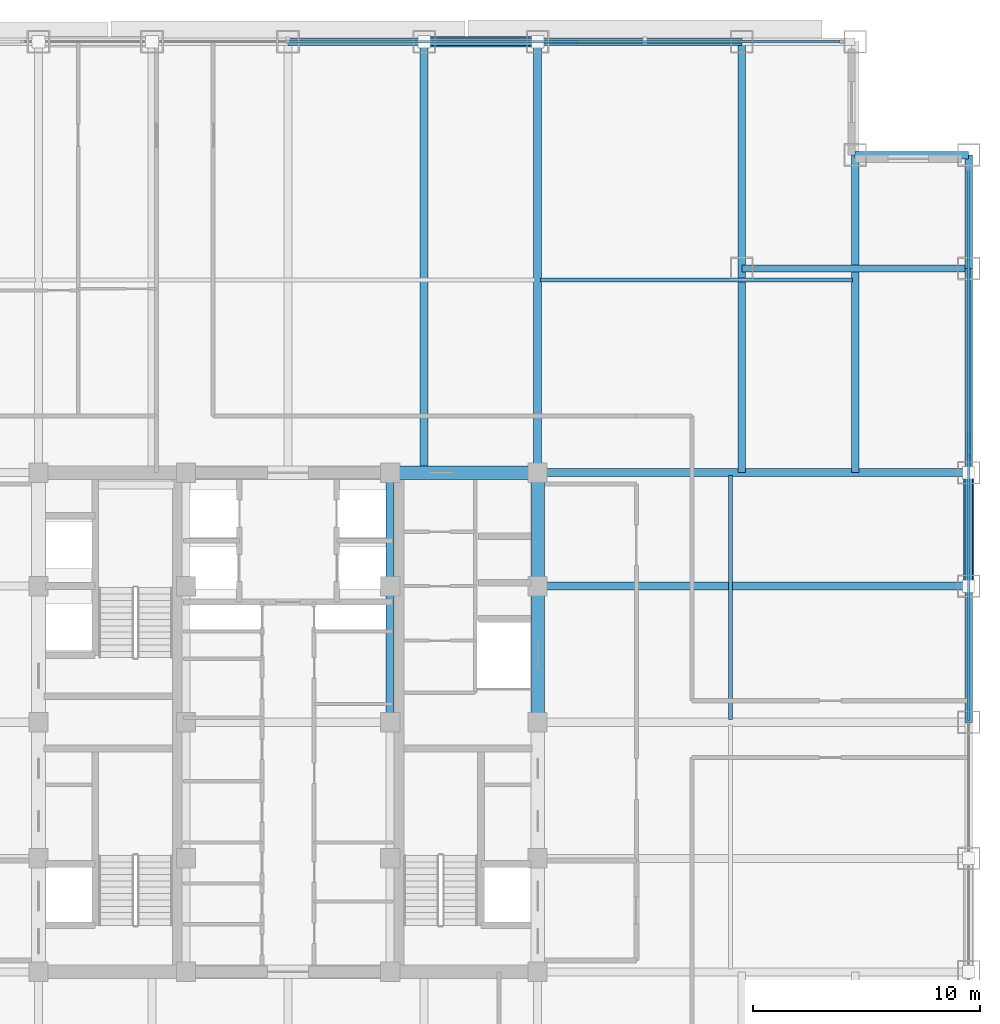
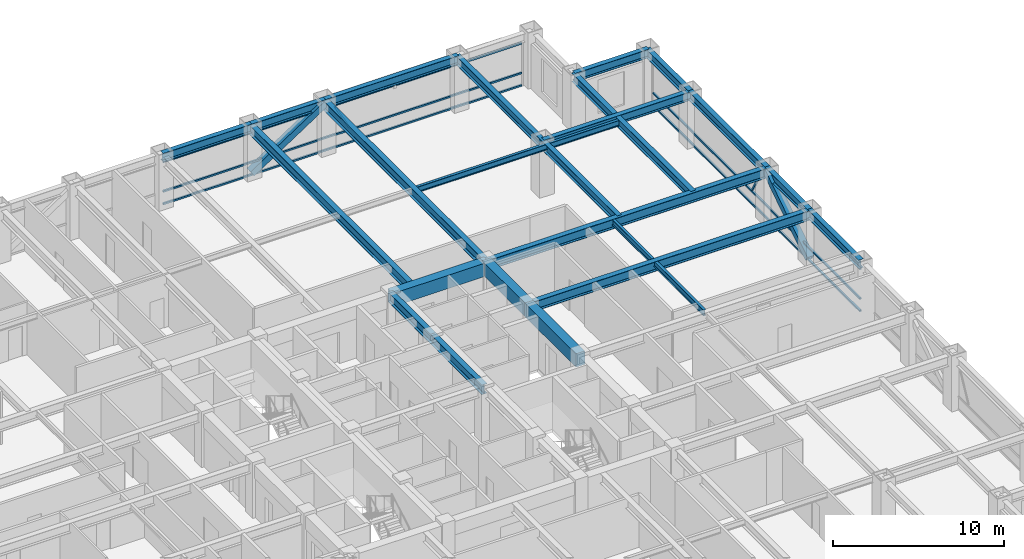
# One storey, part 17 of 29: 22 beams, 10 members, 2 elements without a shape of their own.
"""IFC4 building model written with IfcOpenShell, lengths in metres."""

from ifc_helpers import new_model, si_unit, direction, frame, origin, origin_2d, place, context, subcontext, project, spatial, rectangle, hollow_rectangle, i_section, extrude, source, transform, mapped, material, material_profile, profile_set, type_object, element, aggregate, save


model = new_model("IFC4")

# Units and contexts
model_context = context("Model", 3, precision=1e-05, world=origin(), true_north=direction((0.0, 1.0)))
body_context = subcontext(model_context, "Body", "Model", "MODEL_VIEW")
ifc_project = project(units=[si_unit("LENGTHUNIT", "METRE"), si_unit("AREAUNIT", "SQUARE_METRE"), si_unit("VOLUMEUNIT", "CUBIC_METRE"), si_unit("PLANEANGLEUNIT", "RADIAN"), si_unit("MASSUNIT", "GRAM", prefix="KILO")], contexts=[model_context])

# Site, building, storey
site_placement = place(None, origin())
site = spatial("IfcSite", under=ifc_project, at=site_placement, CompositionType="ELEMENT")
building_placement = place(site_placement, origin())
building = spatial("IfcBuilding", under=site, at=building_placement, Name="Khorayat Bourse Tower", CompositionType="ELEMENT")
storey_placement = place(building_placement, frame((0.0, 0.0, 239.10009765625)))
storey = spatial("IfcBuildingStorey", under=building, at=storey_placement, Name="L56", CompositionType="ELEMENT", Elevation=239.10009765625)

# Beams
ifc_material_1 = material(Name="Steel ASTM A992 Grade 50", Category="steel")
ifc_material_profile_1 = material_profile(ifc_material_1, i_section(OverallWidth=0.35498046875, OverallDepth=0.695068359375, WebThickness=0.015380859375, FlangeThickness=0.02490234375, FilletRadius=0.01806640625, at=origin_2d()), Name="W690X217")
ifc_profile_set_1 = profile_set([ifc_material_profile_1], Name="Steel ASTM A992 Grade 50")
beam_type_1 = type_object("IfcBeamType", Name="BM-GIRD-690", PredefinedType="BEAM", material=ifc_profile_set_1)
shared_shape_1 = source(origin(), body_context, "Body", "SweptSolid", [
    extrude(i_section(OverallWidth=0.35498046875, OverallDepth=0.695068359375, WebThickness=0.015380859375, FlangeThickness=0.02490234375, FilletRadius=0.01806640625, at=origin_2d()), origin(), (0.0, 0.0, 1.0), 5.0),
])
beam_1_placement = place(storey_placement, frame((4.5, 6.0, 3.432373046875), z_axis=(0.0, 1.0, 0.0), x_axis=(-1.0, 0.0, 0.0)))
element("IfcBeam", 1, at=beam_1_placement, inside=storey, type_object=beam_type_1, Name="L56 BM-GIRD-690 BM-L56-CRX-12", PredefinedType="BEAM", context=body_context, shape_type="MappedRepresentation", body=[
    mapped(shared_shape_1, transform((0.0, 0.0, 0.0), scale=1.0)),
])
shared_shape_2 = source(origin(), body_context, "Body", "SweptSolid", [
    extrude(i_section(OverallWidth=0.35498046875, OverallDepth=0.695068359375, WebThickness=0.015380859375, FlangeThickness=0.02490234375, FilletRadius=0.01806640625, at=origin_2d()), origin(), (0.0, 0.0, 1.0), 6.0),
])
beam_2_placement = place(storey_placement, frame((4.5, 0.0, 3.432373046875), z_axis=(0.0, 1.0, 0.0), x_axis=(-1.0, 0.0, 0.0)))
element("IfcBeam", 2, at=beam_2_placement, inside=storey, type_object=beam_type_1, Name="L56 BM-GIRD-690 BM-L56-CRX-11", PredefinedType="BEAM", context=body_context, shape_type="MappedRepresentation", body=[
    mapped(shared_shape_2, transform((0.0, 0.0, 0.0), scale=1.0)),
])
ifc_material_profile_2 = material_profile(ifc_material_1, i_section(OverallWidth=0.324951171875, OverallDepth=0.615966796875, WebThickness=0.013916015625, FlangeThickness=0.021484375, FilletRadius=0.01611328125, at=origin_2d()), Name="W610X174")
ifc_profile_set_2 = profile_set([ifc_material_profile_2], Name="Steel ASTM A992 Grade 50")
beam_type_2 = type_object("IfcBeamType", Name="BM-GIRD-610", PredefinedType="BEAM", material=ifc_profile_set_2)
shared_shape_3 = source(origin(), body_context, "Body", "SweptSolid", [
    extrude(i_section(OverallWidth=0.324951171875, OverallDepth=0.615966796875, WebThickness=0.013916015625, FlangeThickness=0.021484375, FilletRadius=0.01611328125, at=origin_2d()), origin(), (0.0, 0.0, 1.0), 19.0),
])
beam_3_placement = place(storey_placement, frame((20.0, 11.0, 3.471923828125), z_axis=(0.0, 1.0, 0.0), x_axis=(-1.0, 0.0, 0.0)))
element("IfcBeam", 3, at=beam_3_placement, inside=storey, type_object=beam_type_2, Name="L56 BM-GIRD-610 BM-L56-CNRY-087", PredefinedType="BEAM", context=body_context, shape_type="MappedRepresentation", body=[
    mapped(shared_shape_3, transform((0.0, 0.0, 0.0), scale=1.0)),
])
shared_shape_4 = source(origin(), body_context, "Body", "SweptSolid", [
    extrude(i_section(OverallWidth=0.324951171875, OverallDepth=0.615966796875, WebThickness=0.013916015625, FlangeThickness=0.021484375, FilletRadius=0.01611328125, at=origin_2d()), origin(), (0.0, 0.0, 1.0), 10.0),
])
beam_4_placement = place(storey_placement, frame((20.0, 20.0, 3.471923828125), z_axis=(1.0, 0.0, 0.0), x_axis=(0.0, 1.0, 0.0)))
element("IfcBeam", 4, at=beam_4_placement, inside=storey, type_object=beam_type_2, Name="L56 BM-GIRD-610 BM-L56-CNRX-094", PredefinedType="BEAM", context=body_context, shape_type="MappedRepresentation", body=[
    mapped(shared_shape_4, transform((0.0, 0.0, 0.0), scale=1.0)),
])
ifc_material_profile_3 = material_profile(ifc_material_1, i_section(OverallWidth=0.180908203125, OverallDepth=0.4169921875, WebThickness=0.010986328125, FlangeThickness=0.018310546875, FilletRadius=0.011962890625, at=origin_2d()), Name="W410X85")
ifc_profile_set_3 = profile_set([ifc_material_profile_3], Name="Steel ASTM A992 Grade 50")
beam_type_3 = type_object("IfcBeamType", Name="BM-JOIST-410", PredefinedType="JOIST", material=ifc_profile_set_3)
shared_shape_5 = source(origin(), body_context, "Body", "SweptSolid", [
    extrude(i_section(OverallWidth=0.180908203125, OverallDepth=0.4169921875, WebThickness=0.010986328125, FlangeThickness=0.018310546875, FilletRadius=0.011962890625, at=origin_2d()), origin(), (0.0, 0.0, 1.0), 10.740234375),
])
beam_5_placement = place(storey_placement, frame((19.5, 0.1298828125, 3.5712890625), z_axis=(0.0, 1.0, 0.0), x_axis=(-1.0, 0.0, 0.0)))
element("IfcBeam", 5, at=beam_5_placement, inside=storey, type_object=beam_type_3, Name="L56 BM-JOIST-410 BM-L56-JSTY-105", PredefinedType="JOIST", context=body_context, shape_type="MappedRepresentation", body=[
    mapped(shared_shape_5, transform((0.0, 0.0, 0.0), scale=1.0)),
])
ifc_material_profile_4 = material_profile(ifc_material_1, i_section(OverallWidth=0.324951171875, OverallDepth=0.615966796875, WebThickness=0.013916015625, FlangeThickness=0.021484375, FilletRadius=0.01611328125, at=origin_2d()), Name="W610X174")
ifc_profile_set_4 = profile_set([ifc_material_profile_4], Name="Steel ASTM A992 Grade 50")
beam_type_4 = type_object("IfcBeamType", Name="BM-SPAN-610", PredefinedType="SPANDREL", material=ifc_profile_set_4)
shared_shape_6 = source(origin(), body_context, "Body", "SweptSolid", [
    extrude(i_section(OverallWidth=0.324951171875, OverallDepth=0.615966796875, WebThickness=0.013916015625, FlangeThickness=0.021484375, FilletRadius=0.01611328125, at=origin_2d()), origin(), (0.0, 0.0, 1.0), 9.0),
])
for number, where, z_axis, x_axis, name in (
    (6, (30.0, 11.0, 3.471923828125), (0.0, 1.0, 0.0), (-1.0, 0.0, 0.0), "L56 BM-SPAN-610 BM-L56-SPN-040"),
    (7, (11.0, 30.0, 3.471923828125), (1.0, 0.0, 0.0), (0.0, 1.0, 0.0), "L56 BM-SPAN-610 BM-L56-SPN-045"),
):
    element("IfcBeam", number, at=place(storey_placement, frame(where, z_axis=z_axis, x_axis=x_axis)), inside=storey, type_object=beam_type_4, Name=name, PredefinedType="SPANDREL", context=body_context, shape_type="MappedRepresentation", body=[
        mapped(shared_shape_6, transform((0.0, 0.0, 0.0), scale=1.0)),
    ])
shared_shape_7 = source(origin(), body_context, "Body", "SweptSolid", [
    extrude(i_section(OverallWidth=0.324951171875, OverallDepth=0.615966796875, WebThickness=0.013916015625, FlangeThickness=0.021484375, FilletRadius=0.01611328125, at=origin_2d()), origin(), (0.0, 0.0, 1.0), 5.0),
])
for number, where, z_axis, x_axis, name in (
    (8, (30.0, 6.0, 3.471923828125), (0.0, 1.0, 0.0), (-1.0, 0.0, 0.0), "L56 BM-SPAN-610 BM-L56-SPN-039"),
    (9, (30.0, 20.0, 3.471923828125), (0.0, 1.0, 0.0), (-1.0, 0.0, 0.0), "L56 BM-SPAN-610 BM-L56-SPN-041"),
    (10, (25.0, 25.0, 3.471923828125), (1.0, 0.0, 0.0), (0.0, 1.0, 0.0), "L56 BM-SPAN-610 BM-L56-SPN-042"),
    (11, (6.0, 30.0, 3.471923828125), (1.0, 0.0, 0.0), (0.0, 1.0, 0.0), "L56 BM-SPAN-610 BM-L56-SPN-046"),
):
    element("IfcBeam", number, at=place(storey_placement, frame(where, z_axis=z_axis, x_axis=x_axis)), inside=storey, type_object=beam_type_4, Name=name, PredefinedType="SPANDREL", context=body_context, shape_type="MappedRepresentation", body=[
        mapped(shared_shape_7, transform((0.0, 0.0, 0.0), scale=1.0)),
    ])
shared_shape_8 = source(origin(), body_context, "Body", "SweptSolid", [
    extrude(i_section(OverallWidth=0.324951171875, OverallDepth=0.615966796875, WebThickness=0.013916015625, FlangeThickness=0.021484375, FilletRadius=0.01611328125, at=origin_2d()), origin(), (0.0, 0.0, 1.0), 6.0),
])
for number, where, z_axis, x_axis, name in (
    (12, (30.0, 0.0, 3.471923828125), (0.0, 1.0, 0.0), (-1.0, 0.0, 0.0), "L56 BM-SPAN-610 BM-L56-SPN-038"),
    (13, (0.0, 30.0, 3.471923828125), (1.0, 0.0, 0.0), (0.0, 1.0, 0.0), "L56 BM-SPAN-610 BM-L56-SPN-047"),
):
    element("IfcBeam", number, at=place(storey_placement, frame(where, z_axis=z_axis, x_axis=x_axis)), inside=storey, type_object=beam_type_4, Name=name, PredefinedType="SPANDREL", context=body_context, shape_type="MappedRepresentation", body=[
        mapped(shared_shape_8, transform((0.0, 0.0, 0.0), scale=1.0)),
    ])
ifc_material_2 = material(Name="Concrete C60/75", Category="concrete")
ifc_material_profile_5 = material_profile(ifc_material_2, rectangle(XDim=0.60009765625, YDim=0.949951171875, at=origin_2d()), Name="RC 600x950")
ifc_profile_set_5 = profile_set([ifc_material_profile_5], Name="Concrete C60/75")
beam_type_5 = type_object("IfcBeamType", Name="BM-COUP-950", PredefinedType="BEAM", material=ifc_profile_set_5)
shared_shape_9 = source(origin(), body_context, "Body", "SweptSolid", [
    extrude(rectangle(XDim=0.60009765625, YDim=0.949951171875, at=origin_2d()), origin(), (0.0, 0.0, 1.0), 5.0),
])
beam_6_placement = place(storey_placement, frame((11.0, 6.0, 3.304931640625), z_axis=(0.0, 1.0, 0.0), x_axis=(-1.0, 0.0, 0.0)))
element("IfcBeam", 14, at=beam_6_placement, inside=storey, type_object=beam_type_5, Name="L56 BM-COUP-950 BM-L56-CRX-16", PredefinedType="BEAM", context=body_context, shape_type="MappedRepresentation", body=[
    mapped(shared_shape_9, transform((0.0, 0.0, 0.0), scale=1.0)),
])
shared_shape_10 = source(origin(), body_context, "Body", "SweptSolid", [
    extrude(rectangle(XDim=0.60009765625, YDim=0.949951171875, at=origin_2d()), origin(), (0.0, 0.0, 1.0), 6.0),
])
beam_7_placement = place(storey_placement, frame((11.0, 0.0, 3.304931640625), z_axis=(0.0, 1.0, 0.0), x_axis=(-1.0, 0.0, 0.0)))
element("IfcBeam", 15, at=beam_7_placement, inside=storey, type_object=beam_type_5, Name="L56 BM-COUP-950 BM-L56-CRX-15", PredefinedType="BEAM", context=body_context, shape_type="MappedRepresentation", body=[
    mapped(shared_shape_10, transform((0.0, 0.0, 0.0), scale=1.0)),
])
shared_shape_11 = source(origin(), body_context, "Body", "SweptSolid", [
    extrude(rectangle(XDim=0.60009765625, YDim=0.949951171875, at=origin_2d()), origin(), (0.0, 0.0, 1.0), 6.5),
])
beam_8_placement = place(storey_placement, frame((4.5, 11.0, 3.304931640625), z_axis=(1.0, 0.0, 0.0), x_axis=(0.0, 1.0, 0.0)))
element("IfcBeam", 16, at=beam_8_placement, inside=storey, type_object=beam_type_5, Name="L56 BM-COUP-950 BM-L56-CRY-22", PredefinedType="BEAM", context=body_context, shape_type="MappedRepresentation", body=[
    mapped(shared_shape_11, transform((0.0, 0.0, 0.0), scale=1.0)),
])
shared_shape_12 = source(origin(), body_context, "Body", "SweptSolid", [
    extrude(i_section(OverallWidth=0.35498046875, OverallDepth=0.695068359375, WebThickness=0.015380859375, FlangeThickness=0.02490234375, FilletRadius=0.01806640625, at=origin_2d()), origin(), (0.0, 0.0, 1.0), 19.0),
])
for number, where, z_axis, x_axis, name in (
    (17, (6.0, 11.0, 3.432373046875), (0.0, 1.0, 0.0), (-1.0, 0.0, 0.0), "L56 BM-GIRD-690 BM-L56-RADY-070"),
    (18, (11.0, 11.0, 3.432373046875), (0.0, 1.0, 0.0), (-1.0, 0.0, 0.0), "L56 BM-GIRD-690 BM-L56-RADY-072"),
    (19, (11.0, 6.0, 3.432373046875), (1.0, 0.0, 0.0), (0.0, 1.0, 0.0), "L56 BM-GIRD-690 BM-L56-RADX-080"),
    (20, (11.0, 11.0, 3.432373046875), (1.0, 0.0, 0.0), (0.0, 1.0, 0.0), "L56 BM-GIRD-690 BM-L56-RADX-082"),
):
    element("IfcBeam", number, at=place(storey_placement, frame(where, z_axis=z_axis, x_axis=x_axis)), inside=storey, type_object=beam_type_1, Name=name, PredefinedType="BEAM", context=body_context, shape_type="MappedRepresentation", body=[
        mapped(shared_shape_12, transform((0.0, 0.0, 0.0), scale=1.0)),
    ])
shared_shape_13 = source(origin(), body_context, "Body", "SweptSolid", [
    extrude(i_section(OverallWidth=0.324951171875, OverallDepth=0.615966796875, WebThickness=0.013916015625, FlangeThickness=0.021484375, FilletRadius=0.01611328125, at=origin_2d()), origin(), (0.0, 0.0, 1.0), 14.0),
])
beam_9_placement = place(storey_placement, frame((25.0, 11.0, 3.471923828125), z_axis=(0.0, 1.0, 0.0), x_axis=(-1.0, 0.0, 0.0)))
element("IfcBeam", 21, at=beam_9_placement, inside=storey, type_object=beam_type_2, Name="L56 BM-GIRD-610 BM-L56-CNRY-091", PredefinedType="BEAM", context=body_context, shape_type="MappedRepresentation", body=[
    mapped(shared_shape_13, transform((0.0, 0.0, 0.0), scale=1.0)),
])
shared_shape_14 = source(origin(), body_context, "Body", "SweptSolid", [
    extrude(i_section(OverallWidth=0.180908203125, OverallDepth=0.4169921875, WebThickness=0.010986328125, FlangeThickness=0.018310546875, FilletRadius=0.011962890625, at=origin_2d()), origin(), (0.0, 0.0, 1.0), 13.740234375),
])
beam_10_placement = place(storey_placement, frame((11.1298828125, 19.5, 3.5712890625), z_axis=(1.0, 0.0, 0.0), x_axis=(0.0, 1.0, 0.0)))
element("IfcBeam", 22, at=beam_10_placement, inside=storey, type_object=beam_type_3, Name="L56 BM-JOIST-410 BM-L56-JSTX-101", PredefinedType="JOIST", context=body_context, shape_type="MappedRepresentation", body=[
    mapped(shared_shape_14, transform((0.0, 0.0, 0.0), scale=1.0)),
])

# Members
ifc_material_3 = material(Name="Steel EN 10025-4 S460M", Category="steel")
ifc_material_profile_6 = material_profile(ifc_material_3, hollow_rectangle(XDim=0.449951171875, YDim=0.449951171875, WallThickness=0.02490234375, at=origin_2d()), Name="HSS 450x450x25")
ifc_profile_set_6 = profile_set([ifc_material_profile_6], Name="Steel EN 10025-4 S460M")
member_type_1 = type_object("IfcMemberType", Name="MBR-TUBE-450", PredefinedType="BRACE", material=ifc_profile_set_6)
shared_shape_15 = source(origin(), body_context, "Body", "SweptSolid", [
    extrude(hollow_rectangle(XDim=0.449951171875, YDim=0.449951171875, WallThickness=0.02490234375, at=origin_2d()), origin(), (0.0, 0.0, 1.0), 5.979736328125),
])
for number, where, z_axis, x_axis, name in (
    (23, (6.0, 30.0, 0.25), (0.836160261256, 0.0, 0.548485202623), (0.0, 1.0, 0.0), "L56 Perimeter Tube Brace 04"),
    (24, (30.0, 6.0, 0.25), (0.0, 0.836160261256, 0.548485202623), (-1.0, 0.0, 0.0), "L56 Perimeter Tube Brace 08"),
):
    element("IfcMember", number, at=place(storey_placement, frame(where, z_axis=z_axis, x_axis=x_axis)), inside=storey, type_object=member_type_1, Name=name, PredefinedType="BRACE", context=body_context, shape_type="MappedRepresentation", body=[
        mapped(shared_shape_15, transform((0.0, 0.0, 0.0), scale=1.0)),
    ])

# Curtain wall, member
ifc_material_4 = material(Name="Aluminium EN AW-6063 T6", Category="aluminium")
curtain_wall_type = type_object("IfcCurtainWallType", Name="CW-SYS-03", PredefinedType="NOTDEFINED", material=ifc_material_4)
curtain_wall_1_placement = place(storey_placement, origin())
curtain_wall_1 = element("IfcCurtainWall", 25, at=curtain_wall_1_placement, inside=storey, type_object=curtain_wall_type, Name="L56 Curtain Wall CW-L56-N1", PredefinedType="NOTDEFINED")
ifc_material_profile_7 = material_profile(ifc_material_4, hollow_rectangle(XDim=0.1201171875, YDim=0.1201171875, WallThickness=0.0048828125, at=origin_2d()), Name="ALU 120x120x5")
ifc_profile_set_7 = profile_set([ifc_material_profile_7], Name="Aluminium EN AW-6063 T6")
member_type_2 = type_object("IfcMemberType", Name="CWM-DIAG-120", PredefinedType="MULLION", material=ifc_profile_set_7)
shared_shape_16 = source(origin(), body_context, "Body", "SweptSolid", [
    extrude(hollow_rectangle(XDim=0.1201171875, YDim=0.1201171875, WallThickness=0.0048828125, at=origin_2d()), origin(), (0.0, 0.0, 1.0), 2.079345703125),
])
member_1_placement = place(storey_placement, frame((12.67919921875, 30.0, 1.08984375), z_axis=(-0.465760949701, 0.0, 0.884910581773), x_axis=(0.0, -1.0, 0.0)))
member_1 = element("IfcMember", 26, at=member_1_placement, type_object=member_type_2, Name="CW-L56-N1 Faceted Diagonal Mullion 2", PredefinedType="MULLION", context=body_context, shape_type="MappedRepresentation", body=[
    mapped(shared_shape_16, transform((0.0, 0.0, 0.0), scale=1.0)),
])

curtain_wall_2_placement = place(storey_placement, origin())
curtain_wall_2 = element("IfcCurtainWall", 27, at=curtain_wall_2_placement, inside=storey, type_object=curtain_wall_type, Name="L56 Curtain Wall CW-L56-E1", PredefinedType="NOTDEFINED")
member_2_placement = place(storey_placement, frame((30.0, 12.67919921875, 1.08984375), z_axis=(0.0, -0.465760949701, 0.884910581773), x_axis=(1.0, 0.0, 0.0)))
member_2 = element("IfcMember", 28, at=member_2_placement, type_object=member_type_2, Name="CW-L56-E1 Faceted Diagonal Mullion 2", PredefinedType="MULLION", context=body_context, shape_type="MappedRepresentation", body=[
    mapped(shared_shape_16, transform((0.0, 0.0, 0.0), scale=1.0)),
])

# Member
ifc_material_profile_8 = material_profile(ifc_material_4, hollow_rectangle(XDim=0.1201171875, YDim=0.1201171875, WallThickness=0.0048828125, at=origin_2d()), Name="ALU 120x120x5")
ifc_profile_set_8 = profile_set([ifc_material_profile_8], Name="Aluminium EN AW-6063 T6")
member_type_3 = type_object("IfcMemberType", Name="CWT-HORZ-120", PredefinedType="USERDEFINED", material=ifc_profile_set_8)
shared_shape_17 = source(origin(), body_context, "Body", "SweptSolid", [
    extrude(hollow_rectangle(XDim=0.1201171875, YDim=0.1201171875, WallThickness=0.0048828125, at=origin_2d()), origin(), (0.0, 0.0, 1.0), 24.27001953125),
])
member_3_placement = place(storey_placement, frame((0.06005859375, 30.0, 0.059814453125), z_axis=(1.0, 0.0, 0.0), x_axis=(0.0, 1.0, 0.0)))
member_3 = element("IfcMember", 29, at=member_3_placement, type_object=member_type_3, Name="CW-L56-N1 Horizontal Transom 2-1", ObjectType="TRANSOM", PredefinedType="USERDEFINED", context=body_context, shape_type="MappedRepresentation", body=[
    mapped(shared_shape_17, transform((0.0, 0.0, 0.0), scale=1.0)),
])

member_4_placement = place(storey_placement, frame((0.06005859375, 30.0, 0.949951171875), z_axis=(1.0, 0.0, 0.0), x_axis=(0.0, 1.0, 0.0)))
member_4 = element("IfcMember", 30, at=member_4_placement, type_object=member_type_3, Name="CW-L56-N1 Horizontal Transom 2-2", ObjectType="TRANSOM", PredefinedType="USERDEFINED", context=body_context, shape_type="MappedRepresentation", body=[
    mapped(shared_shape_17, transform((0.0, 0.0, 0.0), scale=1.0)),
])

member_5_placement = place(storey_placement, frame((0.06005859375, 30.0, 3.06982421875), z_axis=(1.0, 0.0, 0.0), x_axis=(0.0, 1.0, 0.0)))
member_5 = element("IfcMember", 31, at=member_5_placement, type_object=member_type_3, Name="CW-L56-N1 Horizontal Transom 2-3", ObjectType="TRANSOM", PredefinedType="USERDEFINED", context=body_context, shape_type="MappedRepresentation", body=[
    mapped(shared_shape_17, transform((0.0, 0.0, 0.0), scale=1.0)),
])

aggregate(curtain_wall_1, [member_3, member_4, member_5, member_1])

member_6_placement = place(storey_placement, frame((30.0, 0.06005859375, 0.059814453125), z_axis=(0.0, 1.0, 0.0), x_axis=(-1.0, 0.0, 0.0)))
member_6 = element("IfcMember", 32, at=member_6_placement, type_object=member_type_3, Name="CW-L56-E1 Horizontal Transom 2-1", ObjectType="TRANSOM", PredefinedType="USERDEFINED", context=body_context, shape_type="MappedRepresentation", body=[
    mapped(shared_shape_17, transform((0.0, 0.0, 0.0), scale=1.0)),
])

member_7_placement = place(storey_placement, frame((30.0, 0.06005859375, 0.949951171875), z_axis=(0.0, 1.0, 0.0), x_axis=(-1.0, 0.0, 0.0)))
member_7 = element("IfcMember", 33, at=member_7_placement, type_object=member_type_3, Name="CW-L56-E1 Horizontal Transom 2-2", ObjectType="TRANSOM", PredefinedType="USERDEFINED", context=body_context, shape_type="MappedRepresentation", body=[
    mapped(shared_shape_17, transform((0.0, 0.0, 0.0), scale=1.0)),
])

member_8_placement = place(storey_placement, frame((30.0, 0.06005859375, 3.06982421875), z_axis=(0.0, 1.0, 0.0), x_axis=(-1.0, 0.0, 0.0)))
member_8 = element("IfcMember", 34, at=member_8_placement, type_object=member_type_3, Name="CW-L56-E1 Horizontal Transom 2-3", ObjectType="TRANSOM", PredefinedType="USERDEFINED", context=body_context, shape_type="MappedRepresentation", body=[
    mapped(shared_shape_17, transform((0.0, 0.0, 0.0), scale=1.0)),
])

aggregate(curtain_wall_2, [member_6, member_7, member_8, member_2])

save(model, "model.ifc")
